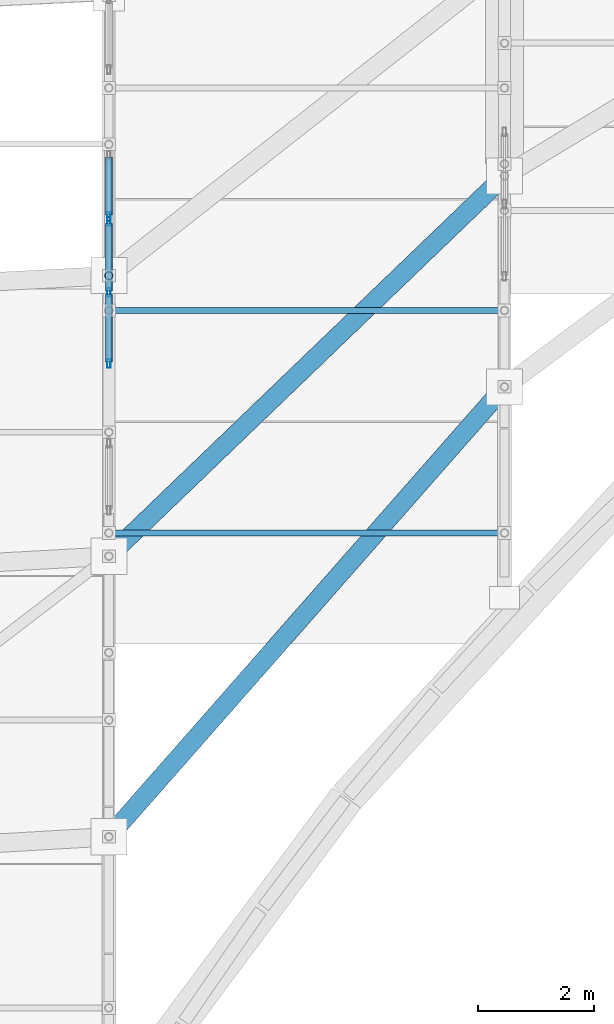
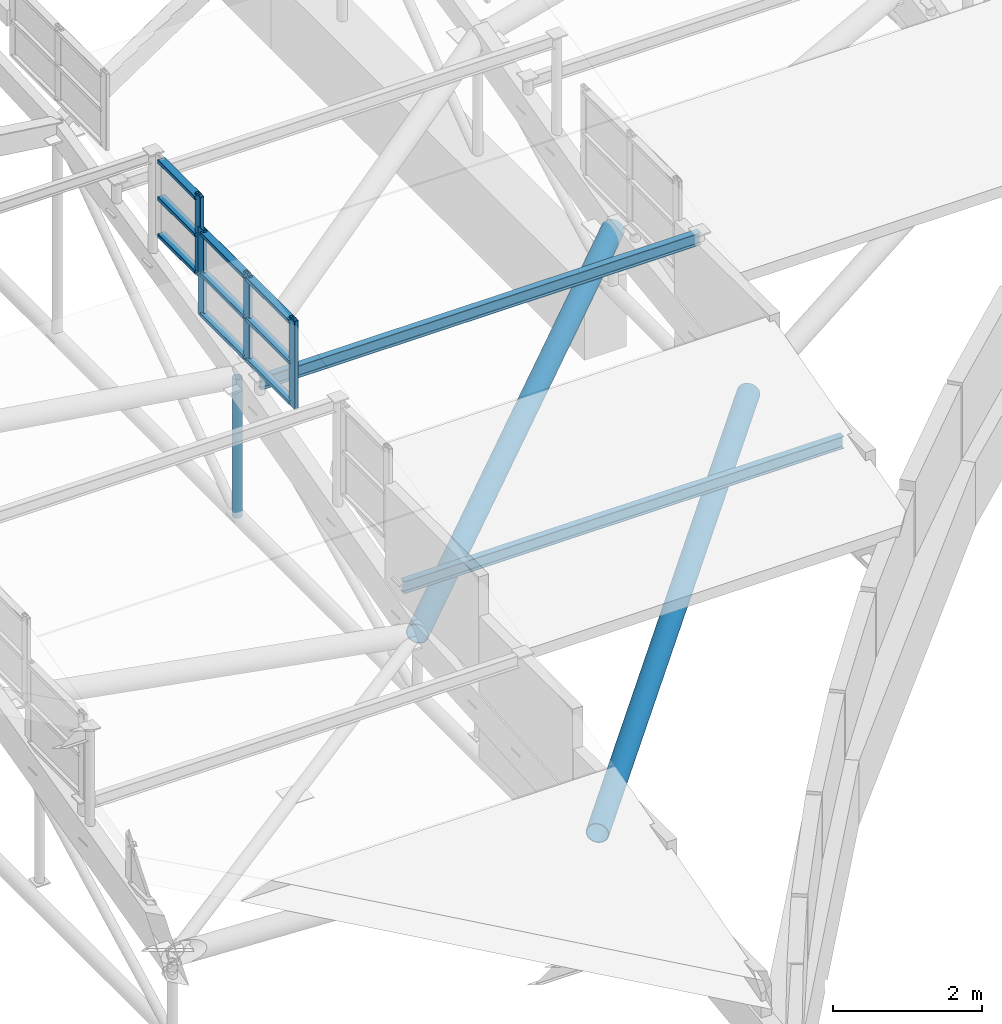
# One storey, part 78 of 188: 18 members, 2 elements without a shape of their own.
"""IFC4 building model written with IfcOpenShell, lengths in metres."""

import ifcopenshell
import ifcopenshell.guid

model = None  # the IFC model being written
_history = None  # IfcOwnerHistory: only IFC2X3 demands one
_inside = {}  # id of a spatial element -> (the spatial element, [elements in it])
_under = {}  # id of a project, library or spatial element -> (it, [spatial elements below it])
_declared = {}  # id of a project -> (the project, [libraries it declares])
_typed = {}  # id of a type object -> (the type object, [elements of that type])
_made_of = {}  # id of a material, layer set ... -> (it, [elements and type objects made of it])


def new_model(schema):
    """Start an empty IFC model of exactly this schema.

    Asked for "IFC4X3", IfcOpenShell would pick the latest addendum, in which some entities
    have other attributes; the version numbers below select the first issue.
    IFC2X3 requires an IfcOwnerHistory on every rooted entity: one is made here for all.
    """
    global model, _history
    if schema == "IFC4X3":
        model = ifcopenshell.file(schema_version=(4, 3, 0, 0))
    else:
        model = ifcopenshell.file(schema=schema)
    _inside.clear()
    _under.clear()
    _declared.clear()
    _typed.clear()
    _made_of.clear()
    _history = None
    if model.schema == "IFC2X3":
        org = make("IfcOrganization", Name="unknown")
        user = make(
            "IfcPersonAndOrganization",
            ThePerson=make("IfcPerson", FamilyName="unknown"),
            TheOrganization=org,
        )
        app = make(
            "IfcApplication",
            ApplicationDeveloper=org,
            Version="unknown",
            ApplicationFullName="unknown",
            ApplicationIdentifier="unknown",
        )
        _history = make(
            "IfcOwnerHistory",
            OwningUser=user,
            OwningApplication=app,
            ChangeAction="ADDED",
            CreationDate=0,
        )
    return model


def make(cls, **values):
    """One entity of the class cls with the attributes given. An attribute that is None is left unset."""
    return model.create_entity(
        cls, **{name: value for name, value in values.items() if value is not None}
    )


def rooted(cls, **values):
    """An entity with a GlobalId (a new one), such as an element, a storey or a relation."""
    return make(cls, GlobalId=ifcopenshell.guid.new(), OwnerHistory=_history, **values)


def si_unit(unit_type, name, prefix=None):
    """IfcSIUnit, for example si_unit("LENGTHUNIT", "METRE", prefix="MILLI")."""
    return make("IfcSIUnit", UnitType=unit_type, Prefix=prefix, Name=name)


def assignment(units):
    """IfcUnitAssignment: the units of a project."""
    return None if units is None else make("IfcUnitAssignment", Units=units)


def point(xyz):
    """IfcCartesianPoint."""
    return None if xyz is None else make("IfcCartesianPoint", Coordinates=xyz)


def direction(xyz):
    """IfcDirection."""
    return None if xyz is None else make("IfcDirection", DirectionRatios=xyz)


def frame(location, z_axis=None, x_axis=None):
    """IfcAxis2Placement3D, a coordinate frame: its origin and axes. An axis left out is left unset."""
    return make(
        "IfcAxis2Placement3D",
        Location=point(location),
        Axis=direction(z_axis),
        RefDirection=direction(x_axis),
    )


def frame_2d(location, x_axis=None):
    """IfcAxis2Placement2D, a coordinate frame in the plane: its origin and x axis."""
    return make(
        "IfcAxis2Placement2D", Location=point(location), RefDirection=direction(x_axis)
    )


def origin():
    """The frame at (0, 0, 0) with its axes left unset."""
    return frame((0.0, 0.0, 0.0))


def origin_2d():
    """The frame at (0, 0) in the plane with its x axis left unset."""
    return frame_2d((0.0, 0.0))


def place(relative_to, where):
    """IfcLocalPlacement: puts the frame where relative to a parent placement (None: the world)."""
    return make(
        "IfcLocalPlacement", PlacementRelTo=relative_to, RelativePlacement=where
    )


def context(
    kind, dimensions, precision=None, world=None, true_north=None, identifier=None
):
    """IfcGeometricRepresentationContext, for example the 3D "Model" context."""
    return make(
        "IfcGeometricRepresentationContext",
        ContextIdentifier=identifier,
        ContextType=kind,
        CoordinateSpaceDimension=dimensions,
        Precision=precision,
        WorldCoordinateSystem=world,
        TrueNorth=true_north,
    )


def subcontext(parent, identifier, kind, view, scale=None):
    """IfcGeometricRepresentationSubContext, for example "Body" below "Model"."""
    return make(
        "IfcGeometricRepresentationSubContext",
        ContextIdentifier=identifier,
        ContextType=kind,
        ParentContext=parent,
        TargetScale=scale,
        TargetView=view,
    )


def project(units=None, contexts=None):
    """IfcProject with its units and contexts."""
    return rooted(
        "IfcProject",
        Name="project",
        RepresentationContexts=contexts,
        UnitsInContext=assignment(units),
    )


def spatial(cls, under=None, at=None, **own):
    """A site, building, storey or space (cls), placed at a placement, below another one or the project."""
    s = rooted(cls, ObjectPlacement=at, **own)
    if under is not None:
        _under.setdefault(under.id(), (under, []))[1].append(s)
    return s


def profile(cls, at=None, kind="AREA", **sizes):
    """A parametric profile (cls). Its sizes go by their IFC names, for example OverallWidth=200.0."""
    return make(cls, ProfileType=kind, Position=at, **sizes)


def hollow_rectangle(**sizes):
    """IfcRectangleHollowProfileDef."""
    return profile("IfcRectangleHollowProfileDef", **sizes)


def hollow_circle(**sizes):
    """IfcCircleHollowProfileDef."""
    return profile("IfcCircleHollowProfileDef", **sizes)


def i_section(**sizes):
    """IfcIShapeProfileDef."""
    return profile("IfcIShapeProfileDef", **sizes)


def extrude(swept, where, along, depth):
    """IfcExtrudedAreaSolid: the profile swept, set in the frame where, extruded along a direction by depth."""
    return make(
        "IfcExtrudedAreaSolid",
        SweptArea=swept,
        Position=where,
        ExtrudedDirection=direction(along),
        Depth=depth,
    )


def shape(context_of_items, identifier, shape_type, items):
    """IfcShapeRepresentation: the items that make up one representation, for example the "Body"."""
    return make(
        "IfcShapeRepresentation",
        ContextOfItems=context_of_items,
        RepresentationIdentifier=identifier,
        RepresentationType=shape_type,
        Items=items,
    )


def material(Name=None, Category=None):
    """IfcMaterial."""
    return make("IfcMaterial", Name=Name, Category=Category)


def layer(
    of_material, thickness, ventilated=None, Name=None, Category=None, Priority=None
):
    """IfcMaterialLayer: one layer of a wall or slab, of a material (None: an air gap)."""
    return make(
        "IfcMaterialLayer",
        Material=of_material,
        LayerThickness=thickness,
        IsVentilated=ventilated,
        Name=Name,
        Category=Category,
        Priority=Priority,
    )


def layer_set(layers, Name=None):
    """IfcMaterialLayerSet."""
    return make("IfcMaterialLayerSet", MaterialLayers=layers, LayerSetName=Name)


def material_profile(
    of_material, cross_section, Name=None, Category=None, Priority=None
):
    """IfcMaterialProfile: a cross section and its material."""
    return make(
        "IfcMaterialProfile",
        Name=Name,
        Material=of_material,
        Profile=cross_section,
        Priority=Priority,
        Category=Category,
    )


def profile_set(profiles, Name=None, composite=None):
    """IfcMaterialProfileSet."""
    return make(
        "IfcMaterialProfileSet",
        Name=Name,
        MaterialProfiles=profiles,
        CompositeProfile=composite,
    )


def made_of(thing, what):
    """Note that an element or type object is made of a material, layer set ...; save() writes the relation."""
    if what is not None:
        _made_of.setdefault(what.id(), (what, []))[1].append(thing)
    return thing


def type_object(cls, material=None, **own):
    """A type object (cls), such as IfcWallType, which elements share."""
    return made_of(rooted(cls, **own), material)


def element(
    cls,
    number,
    at=None,
    inside=None,
    cuts=None,
    type_object=None,
    material=None,
    context=None,
    identifier="Body",
    shape_type=None,
    held_by="IfcProductDefinitionShape",
    body=None,
    shapes=None,
    **own,
):
    """One element of the class cls, such as IfcWall. Its Tag is "e" and its number.

    at: its placement. inside: the storey or other place that contains it. cuts: it is an
    opening in that element (IfcRelVoidsElement). A single representation is given by context,
    identifier, shape_type and body (its items); several are given by shapes. held_by: the class
    of the entity that holds the representations. save() writes the other relations.
    """
    e = rooted(cls, Tag="e%d" % number, ObjectPlacement=at, **own)
    if body is not None:
        shapes = [shape(context, identifier, shape_type, body)]
    if shapes is not None:
        e.Representation = make(held_by, Representations=shapes)
    if inside is not None:
        _inside.setdefault(inside.id(), (inside, []))[1].append(e)
    if cuts is not None:
        rooted(
            "IfcRelVoidsElement", RelatingBuildingElement=cuts, RelatedOpeningElement=e
        )
    if type_object is not None:
        _typed.setdefault(type_object.id(), (type_object, []))[1].append(e)
    return made_of(e, material)


def aggregate(whole, parts):
    """IfcRelAggregates: a whole, such as a stair, and the parts it consists of."""
    return rooted("IfcRelAggregates", RelatingObject=whole, RelatedObjects=parts)


def save(model, path):
    """Write the relations noted so far, then the file.

    IfcRelAggregates (storeys below a building ...), IfcRelContainedInSpatialStructure (elements
    in a storey), IfcRelDefinesByType, IfcRelAssociatesMaterial and IfcRelDeclares: one each for
    every whole, place, type object, material and project.
    """
    for whole, parts in _under.values():
        aggregate(whole, parts)
    for where, things in _inside.values():
        rooted(
            "IfcRelContainedInSpatialStructure",
            RelatedElements=things,
            RelatingStructure=where,
        )
    for kind, things in _typed.values():
        rooted("IfcRelDefinesByType", RelatedObjects=things, RelatingType=kind)
    for what, things in _made_of.values():
        rooted("IfcRelAssociatesMaterial", RelatedObjects=things, RelatingMaterial=what)
    for by, libraries in _declared.values():
        rooted("IfcRelDeclares", RelatingContext=by, RelatedDefinitions=libraries)
    model.write(path)


model = new_model("IFC4")

# Units and contexts
model_context = context("Model", 3, precision=1e-05, world=origin(), true_north=direction((0.0, 1.0)))
body_context = subcontext(model_context, "Body", "Model", "MODEL_VIEW")
ifc_project = project(units=[si_unit("LENGTHUNIT", "METRE"), si_unit("AREAUNIT", "SQUARE_METRE"), si_unit("VOLUMEUNIT", "CUBIC_METRE"), si_unit("PLANEANGLEUNIT", "RADIAN"), si_unit("MASSUNIT", "GRAM", prefix="KILO")], contexts=[model_context])

# Site, building, storey
site_placement = place(None, origin())
site = spatial("IfcSite", under=ifc_project, at=site_placement, CompositionType="ELEMENT")
building_placement = place(site_placement, origin())
building = spatial("IfcBuilding", under=site, at=building_placement, Name="Kisaragi Civic Commons", CompositionType="ELEMENT")
storey_placement = place(building_placement, frame((0.0, 0.0, 9.60009765625)))
storey = spatial("IfcBuildingStorey", under=building, at=storey_placement, Name="L02", CompositionType="ELEMENT", Elevation=9.60009765625)

# Curtain wall, members
ifc_material_1 = material(Name="Thermally broken anodized aluminium and low-E double glazing", Category="aluminium")
ifc_layer = layer(ifc_material_1, 0.14990234375, Name="Thermally broken anodized aluminium and low-E double glazing", Category="aluminium")
ifc_layer_set = layer_set([ifc_layer], Name="Thermally broken anodized aluminium and low-E double glazing")
curtain_wall_type = type_object("IfcCurtainWallType", Name="CW-03", PredefinedType="NOTDEFINED", material=ifc_layer_set)
curtain_wall_1_placement = place(storey_placement, origin())
curtain_wall_1 = element("IfcCurtainWall", 1, at=curtain_wall_1_placement, inside=storey, type_object=curtain_wall_type, Name="L02 curtain wall CW-03 CW-CL-V2-204", PredefinedType="NOTDEFINED")
ifc_material_profile_1 = material_profile(ifc_material_1, hollow_rectangle(XDim=0.06005859375, YDim=0.14990234375, WallThickness=0.00390625, InnerFilletRadius=0.00390625, OuterFilletRadius=0.008056640625, at=origin_2d()), Name="CWM-60x150x4", Category="aluminium")
ifc_profile_set_1 = profile_set([ifc_material_profile_1], Name="Thermally broken anodized aluminium and low-E double glazing")
member_type_1 = type_object("IfcMemberType", Name="CWM-01", PredefinedType="MULLION", material=ifc_profile_set_1)
member_1_placement = place(storey_placement, frame((27.199951171875, 92.56884765625, 2.345703125), z_axis=(0.0, 0.0, 1.0), x_axis=(-1.0, 0.0, 0.0)))
member_1 = element("IfcMember", 2, at=member_1_placement, type_object=member_type_1, Name="CW-03 mullion 1", PredefinedType="MULLION", context=body_context, shape_type="SweptSolid", body=[
    extrude(hollow_rectangle(XDim=0.06005859375, YDim=0.14990234375, WallThickness=0.00390625, InnerFilletRadius=0.00390625, OuterFilletRadius=0.008056640625, at=origin_2d()), origin(), (0.0, 0.0, 1.0), 1.442626953125),
])
member_2_placement = place(storey_placement, frame((27.199951171875, 93.789306640625, 2.345703125), z_axis=(0.0, 0.0, 1.0), x_axis=(-1.0, 0.0, 0.0)))
member_2 = element("IfcMember", 3, at=member_2_placement, type_object=member_type_1, Name="CW-03 mullion 2", PredefinedType="MULLION", context=body_context, shape_type="SweptSolid", body=[
    extrude(hollow_rectangle(XDim=0.06005859375, YDim=0.14990234375, WallThickness=0.00390625, InnerFilletRadius=0.00390625, OuterFilletRadius=0.008056640625, at=origin_2d()), origin(), (0.0, 0.0, 1.0), 1.442626953125),
])
member_3_placement = place(storey_placement, frame((27.199951171875, 95.010009765625, 2.345703125), z_axis=(0.0, 0.0, 1.0), x_axis=(-1.0, 0.0, 0.0)))
member_3 = element("IfcMember", 4, at=member_3_placement, type_object=member_type_1, Name="CW-03 mullion 3", PredefinedType="MULLION", context=body_context, shape_type="SweptSolid", body=[
    extrude(hollow_rectangle(XDim=0.06005859375, YDim=0.14990234375, WallThickness=0.00390625, InnerFilletRadius=0.00390625, OuterFilletRadius=0.008056640625, at=origin_2d()), origin(), (0.0, 0.0, 1.0), 1.442626953125),
])

# Curtain wall, member
curtain_wall_2_placement = place(storey_placement, origin())
curtain_wall_2 = element("IfcCurtainWall", 5, at=curtain_wall_2_placement, inside=storey, type_object=curtain_wall_type, Name="L02 curtain wall CW-03 CW-CL-V2-205", PredefinedType="NOTDEFINED")
member_4_placement = place(storey_placement, frame((27.199951171875, 95.093994140625, 2.94970703125), z_axis=(0.0, 0.0, 1.0), x_axis=(-1.0, 0.0, 0.0)))
member_4 = element("IfcMember", 6, at=member_4_placement, type_object=member_type_1, Name="CW-03 mullion 1", PredefinedType="MULLION", context=body_context, shape_type="SweptSolid", body=[
    extrude(hollow_rectangle(XDim=0.06005859375, YDim=0.14990234375, WallThickness=0.00390625, InnerFilletRadius=0.00390625, OuterFilletRadius=0.008056640625, at=origin_2d()), origin(), (0.0, 0.0, 1.0), 1.331298828125),
])

# Member
ifc_material_profile_2 = material_profile(ifc_material_1, hollow_rectangle(XDim=0.1201171875, YDim=0.06005859375, WallThickness=0.00390625, InnerFilletRadius=0.00390625, OuterFilletRadius=0.008056640625, at=origin_2d()), Name="CWT-60x120x4", Category="aluminium")
ifc_profile_set_2 = profile_set([ifc_material_profile_2], Name="Thermally broken anodized aluminium and low-E double glazing")
member_type_2 = type_object("IfcMemberType", Name="CWT-01", PredefinedType="USERDEFINED", material=ifc_profile_set_2)
member_5_placement = place(storey_placement, frame((27.199951171875, 92.598876953125, 2.405517578125), z_axis=(0.0, 1.0, 0.0), x_axis=(-1.0, 0.0, 0.0)))
member_5 = element("IfcMember", 7, at=member_5_placement, type_object=member_type_2, Name="CW-03 transom 1.1", ObjectType="TRANSOM", PredefinedType="USERDEFINED", context=body_context, shape_type="SweptSolid", body=[
    extrude(hollow_rectangle(XDim=0.1201171875, YDim=0.06005859375, WallThickness=0.00390625, InnerFilletRadius=0.00390625, OuterFilletRadius=0.008056640625, at=origin_2d()), origin(), (0.0, 0.0, 1.0), 1.160400390625),
])

member_6_placement = place(storey_placement, frame((27.199951171875, 92.598876953125, 3.06689453125), z_axis=(0.0, 1.0, 0.0), x_axis=(-1.0, 0.0, 0.0)))
member_6 = element("IfcMember", 8, at=member_6_placement, type_object=member_type_2, Name="CW-03 transom 1.2", ObjectType="TRANSOM", PredefinedType="USERDEFINED", context=body_context, shape_type="SweptSolid", body=[
    extrude(hollow_rectangle(XDim=0.1201171875, YDim=0.06005859375, WallThickness=0.00390625, InnerFilletRadius=0.00390625, OuterFilletRadius=0.008056640625, at=origin_2d()), origin(), (0.0, 0.0, 1.0), 1.160400390625),
])

member_7_placement = place(storey_placement, frame((27.199951171875, 92.598876953125, 3.728271484375), z_axis=(0.0, 1.0, 0.0), x_axis=(-1.0, 0.0, 0.0)))
member_7 = element("IfcMember", 9, at=member_7_placement, type_object=member_type_2, Name="CW-03 transom 1.3", ObjectType="TRANSOM", PredefinedType="USERDEFINED", context=body_context, shape_type="SweptSolid", body=[
    extrude(hollow_rectangle(XDim=0.1201171875, YDim=0.06005859375, WallThickness=0.00390625, InnerFilletRadius=0.00390625, OuterFilletRadius=0.008056640625, at=origin_2d()), origin(), (0.0, 0.0, 1.0), 1.160400390625),
])

member_8_placement = place(storey_placement, frame((27.199951171875, 93.8193359375, 2.405517578125), z_axis=(0.0, 1.0, 0.0), x_axis=(-1.0, 0.0, 0.0)))
member_8 = element("IfcMember", 10, at=member_8_placement, type_object=member_type_2, Name="CW-03 transom 2.1", ObjectType="TRANSOM", PredefinedType="USERDEFINED", context=body_context, shape_type="SweptSolid", body=[
    extrude(hollow_rectangle(XDim=0.1201171875, YDim=0.06005859375, WallThickness=0.00390625, InnerFilletRadius=0.00390625, OuterFilletRadius=0.008056640625, at=origin_2d()), origin(), (0.0, 0.0, 1.0), 1.16064453125),
])

member_9_placement = place(storey_placement, frame((27.199951171875, 93.8193359375, 3.06689453125), z_axis=(0.0, 1.0, 0.0), x_axis=(-1.0, 0.0, 0.0)))
member_9 = element("IfcMember", 11, at=member_9_placement, type_object=member_type_2, Name="CW-03 transom 2.2", ObjectType="TRANSOM", PredefinedType="USERDEFINED", context=body_context, shape_type="SweptSolid", body=[
    extrude(hollow_rectangle(XDim=0.1201171875, YDim=0.06005859375, WallThickness=0.00390625, InnerFilletRadius=0.00390625, OuterFilletRadius=0.008056640625, at=origin_2d()), origin(), (0.0, 0.0, 1.0), 1.16064453125),
])

member_10_placement = place(storey_placement, frame((27.199951171875, 93.8193359375, 3.728271484375), z_axis=(0.0, 1.0, 0.0), x_axis=(-1.0, 0.0, 0.0)))
member_10 = element("IfcMember", 12, at=member_10_placement, type_object=member_type_2, Name="CW-03 transom 2.3", ObjectType="TRANSOM", PredefinedType="USERDEFINED", context=body_context, shape_type="SweptSolid", body=[
    extrude(hollow_rectangle(XDim=0.1201171875, YDim=0.06005859375, WallThickness=0.00390625, InnerFilletRadius=0.00390625, OuterFilletRadius=0.008056640625, at=origin_2d()), origin(), (0.0, 0.0, 1.0), 1.16064453125),
])

aggregate(curtain_wall_1, [member_1, member_2, member_3, member_5, member_6, member_7, member_8, member_9, member_10])

member_11_placement = place(storey_placement, frame((27.199951171875, 95.123779296875, 3.009765625), z_axis=(0.0, 1.0, 0.0), x_axis=(-1.0, 0.0, 0.0)))
member_11 = element("IfcMember", 13, at=member_11_placement, type_object=member_type_2, Name="CW-03 transom 1.1", ObjectType="TRANSOM", PredefinedType="USERDEFINED", context=body_context, shape_type="SweptSolid", body=[
    extrude(hollow_rectangle(XDim=0.1201171875, YDim=0.06005859375, WallThickness=0.00390625, InnerFilletRadius=0.00390625, OuterFilletRadius=0.008056640625, at=origin_2d()), origin(), (0.0, 0.0, 1.0), 0.99365234375),
])

member_12_placement = place(storey_placement, frame((27.199951171875, 95.123779296875, 3.615478515625), z_axis=(0.0, 1.0, 0.0), x_axis=(-1.0, 0.0, 0.0)))
member_12 = element("IfcMember", 14, at=member_12_placement, type_object=member_type_2, Name="CW-03 transom 1.2", ObjectType="TRANSOM", PredefinedType="USERDEFINED", context=body_context, shape_type="SweptSolid", body=[
    extrude(hollow_rectangle(XDim=0.1201171875, YDim=0.06005859375, WallThickness=0.00390625, InnerFilletRadius=0.00390625, OuterFilletRadius=0.008056640625, at=origin_2d()), origin(), (0.0, 0.0, 1.0), 0.99365234375),
])

member_13_placement = place(storey_placement, frame((27.199951171875, 95.123779296875, 4.22119140625), z_axis=(0.0, 1.0, 0.0), x_axis=(-1.0, 0.0, 0.0)))
member_13 = element("IfcMember", 15, at=member_13_placement, type_object=member_type_2, Name="CW-03 transom 1.3", ObjectType="TRANSOM", PredefinedType="USERDEFINED", context=body_context, shape_type="SweptSolid", body=[
    extrude(hollow_rectangle(XDim=0.1201171875, YDim=0.06005859375, WallThickness=0.00390625, InnerFilletRadius=0.00390625, OuterFilletRadius=0.008056640625, at=origin_2d()), origin(), (0.0, 0.0, 1.0), 0.99365234375),
])

aggregate(curtain_wall_2, [member_4, member_11, member_12, member_13])

# Members
ifc_material_2 = material(Name="Steel SN490 (SN490B)", Category="steel")
ifc_material_profile_3 = material_profile(ifc_material_2, hollow_circle(Radius=0.1591796875, WallThickness=0.01025390625, at=origin_2d()), Name="CHS-318.5x10.3", Category="steel")
ifc_profile_set_3 = profile_set([ifc_material_profile_3], Name="Steel SN490 (SN490B)")
member_type_3 = type_object("IfcMemberType", Name="GC-03", PredefinedType="CHORD", material=ifc_profile_set_3)
member_14_placement = place(storey_placement, frame((27.199951171875, 84.436279296875, 0.30419921875), z_axis=(0.660307087315, 0.750890987816, 0.01254092734), x_axis=(-0.750950042918, 0.660359018293, 0.0)))
element("IfcMember", 16, at=member_14_placement, inside=storey, type_object=member_type_3, Name="V2 wave gridshell chord GC-03 29", PredefinedType="CHORD", context=body_context, shape_type="SweptSolid", body=[
    extrude(hollow_circle(Radius=0.1591796875, WallThickness=0.01025390625, at=origin_2d()), origin(), (0.0, 0.0, 1.0), 10.29833984375),
])
member_15_placement = place(storey_placement, frame((27.199951171875, 89.258056640625, 0.640869140625), z_axis=(0.720633520746, 0.692716830663, 0.028822236101), x_axis=(-0.693004737364, 0.720933030171, 0.0)))
element("IfcMember", 17, at=member_15_placement, inside=storey, type_object=member_type_3, Name="V2 wave gridshell chord GC-03 30", PredefinedType="CHORD", context=body_context, shape_type="SweptSolid", body=[
    extrude(hollow_circle(Radius=0.1591796875, WallThickness=0.01025390625, at=origin_2d()), origin(), (0.0, 0.0, 1.0), 9.436279296875),
])
ifc_material_3 = material(Name="Steel SN400 (SN400B)", Category="steel")
ifc_material_profile_4 = material_profile(ifc_material_3, i_section(OverallWidth=0.10009765625, OverallDepth=0.199951171875, WebThickness=0.005615234375, FlangeThickness=0.008056640625, FilletRadius=0.008056640625, at=origin_2d()), Name="H-200x100x5.5x8", Category="steel")
ifc_profile_set_4 = profile_set([ifc_material_profile_4], Name="Steel SN400 (SN400B)")
member_type_4 = type_object("IfcMemberType", Name="PR-02", PredefinedType="PURLIN", material=ifc_profile_set_4)
for number, where, z_axis, x_axis, name in (
    (18, (27.199951171875, 89.65673828125, 1.17578125), (1.0, 0.0, 0.0), (0.0, 1.0, 0.0), "V2 wave vault steel purlin 33"),
    (19, (27.199951171875, 93.48193359375, 2.18603515625), (1.0, 0.0, 0.0), (0.0, 1.0, 0.0), "V2 wave vault steel purlin 34"),
):
    element("IfcMember", number, at=place(storey_placement, frame(where, z_axis=z_axis, x_axis=x_axis)), inside=storey, type_object=member_type_4, Name=name, PredefinedType="PURLIN", context=body_context, shape_type="SweptSolid", body=[
        extrude(i_section(OverallWidth=0.10009765625, OverallDepth=0.199951171875, WebThickness=0.005615234375, FlangeThickness=0.008056640625, FilletRadius=0.008056640625, at=origin_2d()), origin(), (0.0, 0.0, 1.0), 6.800048828125),
    ])
ifc_material_profile_5 = material_profile(ifc_material_2, hollow_circle(Radius=0.06982421875, WallThickness=0.006103515625, at=origin_2d()), Name="CHS-139.8x6.0", Category="steel")
ifc_profile_set_5 = profile_set([ifc_material_profile_5], Name="Steel SN490 (SN490B)")
member_type_5 = type_object("IfcMemberType", Name="ST-H1", PredefinedType="STRUT", material=ifc_profile_set_5)
member_16_placement = place(storey_placement, frame((27.199951171875, 94.079833984375, -0.353271484375), z_axis=(0.0, 0.0, 1.0), x_axis=(1.0, 0.0, 0.0)))
element("IfcMember", 20, at=member_16_placement, inside=storey, type_object=member_type_5, Name="V2 arch tie hanger strut 61", PredefinedType="STRUT", context=body_context, shape_type="SweptSolid", body=[
    extrude(hollow_circle(Radius=0.06982421875, WallThickness=0.006103515625, at=origin_2d()), origin(), (0.0, 0.0, 1.0), 2.26953125),
])

save(model, "model.ifc")
